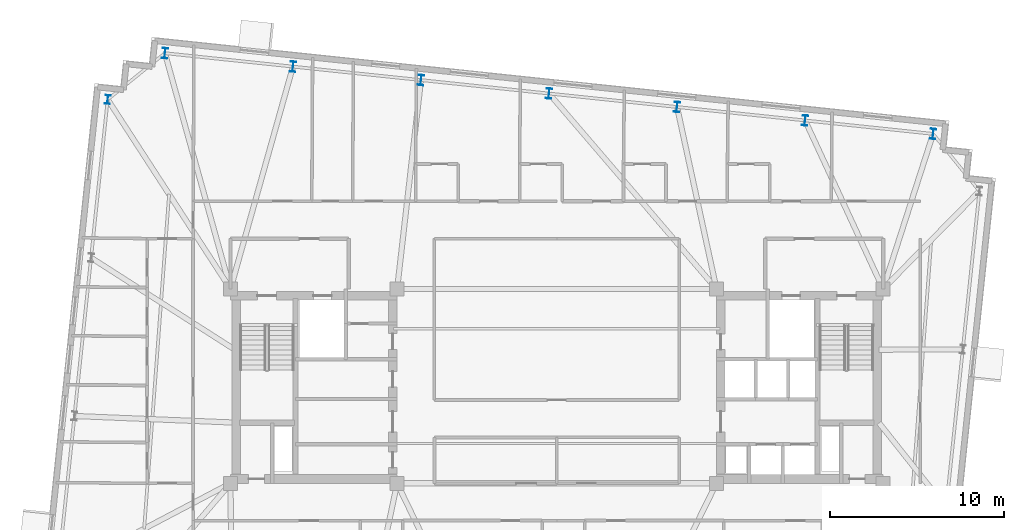
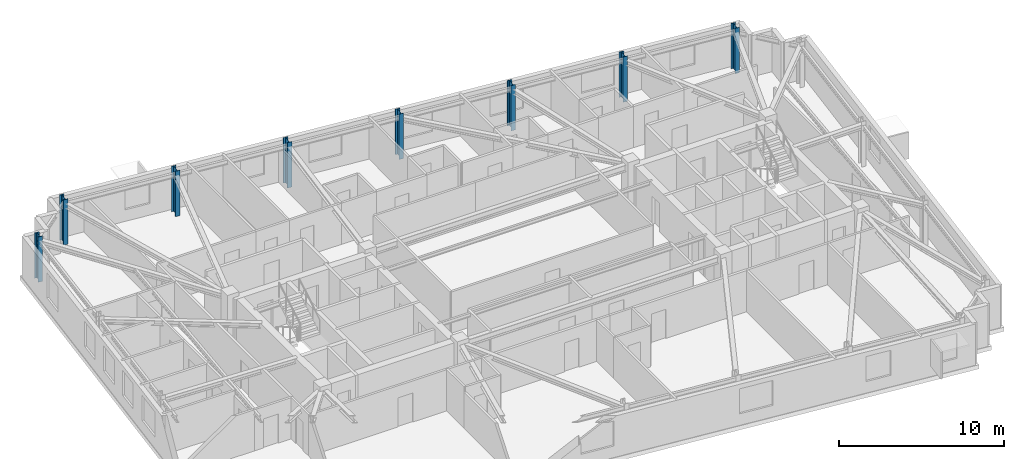
# One storey, part 3 of 12: 8 columns.
"""IFC4 building model written with IfcOpenShell, lengths in metres."""

from ifc_helpers import new_model, si_unit, direction, frame, origin, origin_2d, place, context, subcontext, project, spatial, i_section, extrude, material, material_profile, profile_set, type_object, element, save


model = new_model("IFC4")

# Units and contexts
model_context = context("Model", 3, precision=1e-05, world=origin(), true_north=direction((0.0, 1.0)))
body_context = subcontext(model_context, "Body", "Model", "MODEL_VIEW")
ifc_project = project(units=[si_unit("LENGTHUNIT", "METRE"), si_unit("AREAUNIT", "SQUARE_METRE"), si_unit("VOLUMEUNIT", "CUBIC_METRE"), si_unit("PLANEANGLEUNIT", "RADIAN"), si_unit("MASSUNIT", "GRAM", prefix="KILO")], contexts=[model_context])

# Site, building, storey
site_placement = place(None, origin())
site = spatial("IfcSite", under=ifc_project, at=site_placement, CompositionType="ELEMENT")
building_placement = place(site_placement, origin())
building = spatial("IfcBuilding", under=site, at=building_placement, Name="Qobustan Lattice House", CompositionType="ELEMENT")
storey_placement = place(building_placement, frame((0.0, 0.0, 189.699951171875)))
storey = spatial("IfcBuildingStorey", under=building, at=storey_placement, Name="L53", CompositionType="ELEMENT", Elevation=189.699951171875)

# Columns
ifc_material_1 = material(Name="Steel S355", Category="steel")
ifc_material_profile_1 = material_profile(ifc_material_1, i_section(OverallWidth=0.300048828125, OverallDepth=0.5, WebThickness=0.014404296875, FlangeThickness=0.028076171875, FilletRadius=0.027099609375, at=origin_2d()), Name="HEB500")
ifc_profile_set_1 = profile_set([ifc_material_profile_1], Name="Steel S355")
column_type_1 = type_object("IfcColumnType", Name="COL-ST-HEB500", PredefinedType="COLUMN", material=ifc_profile_set_1)
column_placement = place(storey_placement, frame((-25.87451171875, 16.513916015625, 0.0), z_axis=(0.0, 0.0, 1.0), x_axis=(0.994521895368, -0.104528463268, 0.0)))
element("IfcColumn", 1, at=column_placement, inside=storey, type_object=column_type_1, Name="L53 B4 perimeter column W1", PredefinedType="COLUMN", context=body_context, shape_type="SweptSolid", body=[
    extrude(i_section(OverallWidth=0.300048828125, OverallDepth=0.5, WebThickness=0.014404296875, FlangeThickness=0.028076171875, FilletRadius=0.027099609375, at=origin_2d()), origin(), (0.0, 0.0, 1.0), 3.35009765625),
])
ifc_material_2 = material(Name="Steel S355", Category="steel")
ifc_material_profile_2 = material_profile(ifc_material_2, i_section(OverallWidth=0.300048828125, OverallDepth=0.60009765625, WebThickness=0.015380859375, FlangeThickness=0.030029296875, FilletRadius=0.027099609375, at=origin_2d()), Name="HEB600")
ifc_profile_set_2 = profile_set([ifc_material_profile_2], Name="Steel S355")
column_type_2 = type_object("IfcColumnType", Name="COL-ST-HEB600", PredefinedType="COLUMN", material=ifc_profile_set_2)
for number, where, z_axis, x_axis, name in (
    (2, (21.678955078125, 14.532470703125, 0.0), (0.0, 0.0, 1.0), (0.994521895368, -0.104528463268, 0.0), "L53 B4 perimeter column N1"),
    (3, (14.302978515625, 15.3076171875, 0.0), (0.0, 0.0, 1.0), (0.994521895368, -0.104528463268, 0.0), "L53 B4 perimeter column N2"),
    (4, (6.927001953125, 16.0830078125, 0.0), (0.0, 0.0, 1.0), (0.994521895368, -0.104528463268, 0.0), "L53 B4 perimeter column N3"),
    (5, (-0.44921875, 16.858154296875, 0.0), (0.0, 0.0, 1.0), (0.994521895368, -0.104528463268, 0.0), "L53 B4 perimeter column N4"),
    (6, (-7.8251953125, 17.633544921875, 0.0), (0.0, 0.0, 1.0), (0.994521895368, -0.104528463268, 0.0), "L53 B4 perimeter column N5"),
    (7, (-15.201171875, 18.40869140625, 0.0), (0.0, 0.0, 1.0), (0.994521895368, -0.104528463268, 0.0), "L53 B4 perimeter column N6"),
    (8, (-22.577392578125, 19.18408203125, 0.0), (0.0, 0.0, 1.0), (0.994521895368, -0.104528463268, 0.0), "L53 B4 perimeter column N7"),
):
    element("IfcColumn", number, at=place(storey_placement, frame(where, z_axis=z_axis, x_axis=x_axis)), inside=storey, type_object=column_type_2, Name=name, PredefinedType="COLUMN", context=body_context, shape_type="SweptSolid", body=[
        extrude(i_section(OverallWidth=0.300048828125, OverallDepth=0.60009765625, WebThickness=0.015380859375, FlangeThickness=0.030029296875, FilletRadius=0.027099609375, at=origin_2d()), origin(), (0.0, 0.0, 1.0), 3.35009765625),
    ])

save(model, "model.ifc")
